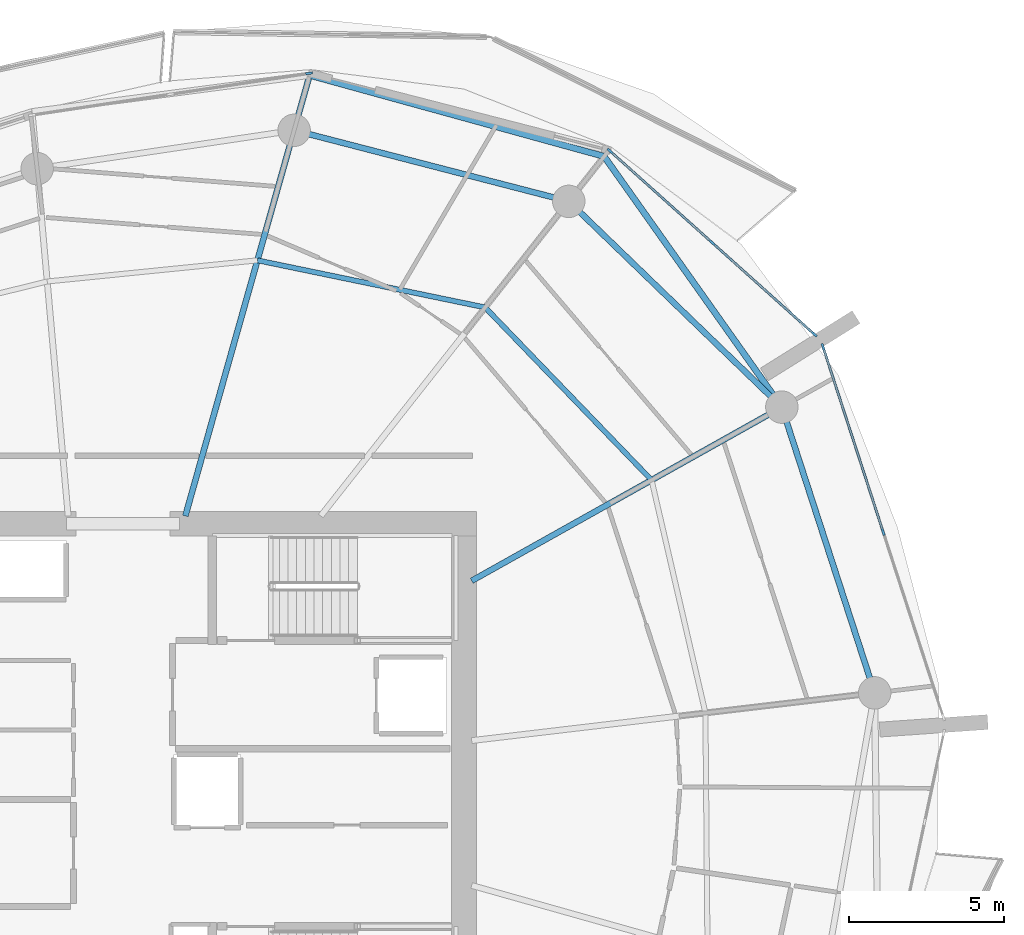
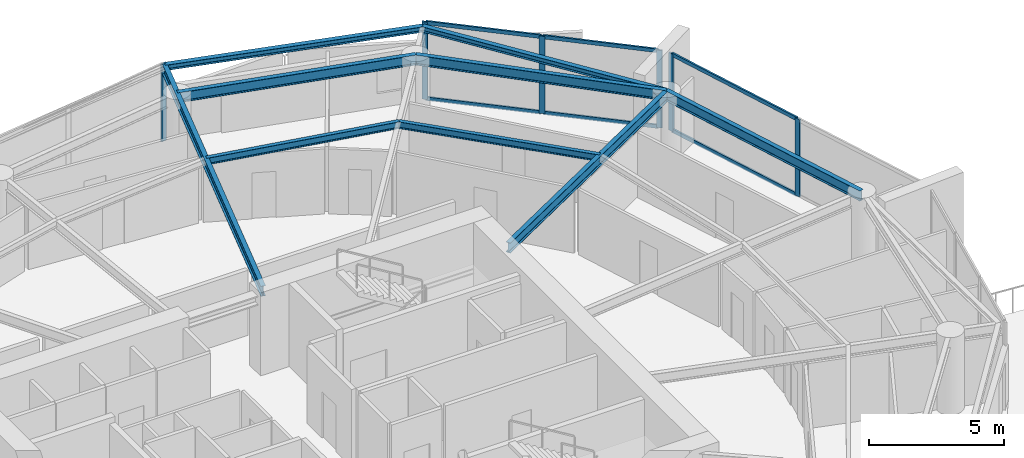
# One storey, part 9 of 20: 12 members, 9 beams, 3 elements without a shape of their own.
"""IFC4 building model written with IfcOpenShell, lengths in metres."""

from ifc_helpers import new_model, si_unit, direction, frame, origin, origin_2d, place, context, subcontext, project, spatial, rectangle, i_section, extrude, material, layer, layer_set, material_profile, profile_set, type_object, element, aggregate, save


model = new_model("IFC4")

# Units and contexts
model_context = context("Model", 3, precision=1e-05, world=origin(), true_north=direction((0.0, 1.0)))
body_context = subcontext(model_context, "Body", "Model", "MODEL_VIEW")
ifc_project = project(units=[si_unit("LENGTHUNIT", "METRE"), si_unit("AREAUNIT", "SQUARE_METRE"), si_unit("VOLUMEUNIT", "CUBIC_METRE"), si_unit("PLANEANGLEUNIT", "RADIAN"), si_unit("MASSUNIT", "GRAM", prefix="KILO")], contexts=[model_context])

# Site, building, storey
site_placement = place(None, origin())
site = spatial("IfcSite", under=ifc_project, at=site_placement, CompositionType="ELEMENT")
building_placement = place(site_placement, origin())
building = spatial("IfcBuilding", under=site, at=building_placement, Name="Kazma Halo Residences", CompositionType="ELEMENT")
storey_placement = place(building_placement, frame((0.0, 0.0, 142.800048828125)))
storey = spatial("IfcBuildingStorey", under=building, at=storey_placement, Name="L35", CompositionType="ELEMENT", Elevation=142.800048828125)

# Beams
ifc_material_1 = material(Name="Steel S355", Category="steel")
ifc_material_profile_1 = material_profile(ifc_material_1, i_section(OverallWidth=0.201904296875, OverallDepth=0.2470703125, WebThickness=0.00732421875, FlangeThickness=0.010986328125, FilletRadius=0.011962890625, at=origin_2d()), Name="W250x49.1")
ifc_profile_set_1 = profile_set([ifc_material_profile_1], Name="Steel S355")
beam_type_1 = type_object("IfcBeamType", Name="BM-BAL-CANT", PredefinedType="BEAM", material=ifc_profile_set_1)
beam_1_placement = place(storey_placement, frame((69.730224609375, 54.16943359375, 3.37646484375), z_axis=(-0.578203432081, 0.81589263456, 0.0), x_axis=(-0.81589263456, -0.578203432081, 0.0)))
element("IfcBeam", 1, at=beam_1_placement, inside=storey, type_object=beam_type_1, Name="L35 wave-balcony lead tie beam 01", PredefinedType="BEAM", context=body_context, shape_type="SweptSolid", body=[
    extrude(i_section(OverallWidth=0.201904296875, OverallDepth=0.2470703125, WebThickness=0.00732421875, FlangeThickness=0.010986328125, FilletRadius=0.011962890625, at=origin_2d()), origin(), (0.0, 0.0, 1.0), 9.9365234375),
])
beam_2_placement = place(storey_placement, frame((63.98486328125, 62.276611328125, 3.37646484375), z_axis=(-0.964045237638, 0.265738179019, 0.0), x_axis=(-0.265738179019, -0.964045237638, 0.0)))
element("IfcBeam", 2, at=beam_2_placement, inside=storey, type_object=beam_type_1, Name="L35 wave-balcony tie beam 02", PredefinedType="BEAM", context=body_context, shape_type="SweptSolid", body=[
    extrude(i_section(OverallWidth=0.201904296875, OverallDepth=0.2470703125, WebThickness=0.00732421875, FlangeThickness=0.010986328125, FilletRadius=0.011962890625, at=origin_2d()), origin(), (0.0, 0.0, 1.0), 9.880859375),
])
ifc_material_profile_2 = material_profile(ifc_material_1, i_section(OverallWidth=0.18994140625, OverallDepth=0.45703125, WebThickness=0.009033203125, FlangeThickness=0.014404296875, FilletRadius=0.01611328125, at=origin_2d()), Name="W460x74")
ifc_profile_set_2 = profile_set([ifc_material_profile_2], Name="Steel S355")
beam_type_2 = type_object("IfcBeamType", Name="BM-RAD-W460", PredefinedType="BEAM", material=ifc_profile_set_2)
beam_3_placement = place(storey_placement, frame((59.699951171875, 48.55224609375, 3.271484375), z_axis=(0.872497324456, 0.488618889132, 0.0), x_axis=(-0.488618889132, 0.872497324456, 0.0)))
element("IfcBeam", 3, at=beam_3_placement, inside=storey, type_object=beam_type_2, Name="L35 radial floor beam 01", PredefinedType="BEAM", context=body_context, shape_type="SweptSolid", body=[
    extrude(i_section(OverallWidth=0.18994140625, OverallDepth=0.45703125, WebThickness=0.009033203125, FlangeThickness=0.014404296875, FilletRadius=0.01611328125, at=origin_2d()), origin(), (0.0, 0.0, 1.0), 11.49609375),
])
beam_4_placement = place(storey_placement, frame((50.439697265625, 50.64990234375, 3.271484375), z_axis=(0.271435886816, 0.962456523355, 0.0), x_axis=(-0.962456523355, 0.271435886816, 0.0)))
element("IfcBeam", 4, at=beam_4_placement, inside=storey, type_object=beam_type_2, Name="L35 radial floor beam 03", PredefinedType="BEAM", context=body_context, shape_type="SweptSolid", body=[
    extrude(i_section(OverallWidth=0.18994140625, OverallDepth=0.45703125, WebThickness=0.009033203125, FlangeThickness=0.014404296875, FilletRadius=0.01611328125, at=origin_2d()), origin(), (0.0, 0.0, 1.0), 14.808349609375),
])
ifc_material_profile_3 = material_profile(ifc_material_1, i_section(OverallWidth=0.1650390625, OverallDepth=0.31005859375, WebThickness=0.005859375, FlangeThickness=0.009765625, FilletRadius=0.011962890625, at=origin_2d()), Name="W310x38.7")
ifc_profile_set_3 = profile_set([ifc_material_profile_3], Name="Steel S355")
beam_type_3 = type_object("IfcBeamType", Name="BM-SEC-W310B", PredefinedType="JOIST", material=ifc_profile_set_3)
beam_5_placement = place(storey_placement, frame((65.517578125, 51.810302734375, 3.344970703125), z_axis=(-0.694049338985, 0.719927437354, 0.0), x_axis=(-0.719927437354, -0.694049338985, 0.0)))
element("IfcBeam", 5, at=beam_5_placement, inside=storey, type_object=beam_type_3, Name="L35 circumferential floor joist 01", PredefinedType="JOIST", context=body_context, shape_type="SweptSolid", body=[
    extrude(i_section(OverallWidth=0.1650390625, OverallDepth=0.31005859375, WebThickness=0.005859375, FlangeThickness=0.009765625, FilletRadius=0.011962890625, at=origin_2d()), origin(), (0.0, 0.0, 1.0), 7.7548828125),
])
beam_6_placement = place(storey_placement, frame((60.13525390625, 57.393310546875, 3.344970703125), z_axis=(-0.979272189631, 0.202548706773, 0.0), x_axis=(-0.202548706773, -0.979272189631, 0.0)))
element("IfcBeam", 6, at=beam_6_placement, inside=storey, type_object=beam_type_3, Name="L35 circumferential floor joist 02", PredefinedType="JOIST", context=body_context, shape_type="SweptSolid", body=[
    extrude(i_section(OverallWidth=0.1650390625, OverallDepth=0.31005859375, WebThickness=0.005859375, FlangeThickness=0.009765625, FilletRadius=0.011962890625, at=origin_2d()), origin(), (0.0, 0.0, 1.0), 7.52001953125),
])
ifc_material_profile_4 = material_profile(ifc_material_1, i_section(OverallWidth=0.18994140625, OverallDepth=0.45703125, WebThickness=0.009033203125, FlangeThickness=0.014404296875, FilletRadius=0.01611328125, at=origin_2d()), Name="W460x74")
ifc_profile_set_4 = profile_set([ifc_material_profile_4], Name="Steel S355")
beam_type_4 = type_object("IfcBeamType", Name="BM-SPN-W460", PredefinedType="BEAM", material=ifc_profile_set_4)
beam_7_placement = place(storey_placement, frame((69.730224609375, 54.16943359375, 3.271484375), z_axis=(-0.719334705845, 0.694663645923, 0.0), x_axis=(-0.694663645923, -0.719334705845, 0.0)))
element("IfcBeam", 7, at=beam_7_placement, inside=storey, type_object=beam_type_4, Name="L35 perimeter ring beam 01", PredefinedType="BEAM", context=body_context, shape_type="SweptSolid", body=[
    extrude(i_section(OverallWidth=0.18994140625, OverallDepth=0.45703125, WebThickness=0.009033203125, FlangeThickness=0.014404296875, FilletRadius=0.01611328125, at=origin_2d()), origin(), (0.0, 0.0, 1.0), 9.5791015625),
])
beam_8_placement = place(storey_placement, frame((62.839599609375, 60.82373046875, 3.271484375), z_axis=(-0.968123664213, 0.250472694699, 0.0), x_axis=(-0.250472694699, -0.968123664213, 0.0)))
element("IfcBeam", 8, at=beam_8_placement, inside=storey, type_object=beam_type_4, Name="L35 perimeter ring beam 02", PredefinedType="BEAM", context=body_context, shape_type="SweptSolid", body=[
    extrude(i_section(OverallWidth=0.18994140625, OverallDepth=0.45703125, WebThickness=0.009033203125, FlangeThickness=0.014404296875, FilletRadius=0.01611328125, at=origin_2d()), origin(), (0.0, 0.0, 1.0), 9.175048828125),
])
beam_9_placement = place(storey_placement, frame((72.733154296875, 44.927490234375, 3.271484375), z_axis=(-0.309020741629, 0.95105529873, 0.0), x_axis=(-0.95105529873, -0.309020741629, 0.0)))
element("IfcBeam", 9, at=beam_9_placement, inside=storey, type_object=beam_type_4, Name="L35 perimeter ring beam 16", PredefinedType="BEAM", context=body_context, shape_type="SweptSolid", body=[
    extrude(i_section(OverallWidth=0.18994140625, OverallDepth=0.45703125, WebThickness=0.009033203125, FlangeThickness=0.014404296875, FilletRadius=0.01611328125, at=origin_2d()), origin(), (0.0, 0.0, 1.0), 9.717529296875),
])

# Curtain wall, members
ifc_material_2 = material(Name="Aluminium AW-6063 T6 and Triple-Silver Low-E Glass", Category="aluminium")
ifc_layer = layer(ifc_material_2, 0.219970703125)
ifc_layer_set = layer_set([ifc_layer], Name="Aluminium AW-6063 T6 and Triple-Silver Low-E Glass")
curtain_wall_type = type_object("IfcCurtainWallType", Name="CW-SYS-4", PredefinedType="NOTDEFINED", material=ifc_layer_set)
curtain_wall_1_placement = place(storey_placement, origin())
curtain_wall_1 = element("IfcCurtainWall", 10, at=curtain_wall_1_placement, inside=storey, type_object=curtain_wall_type, Name="L35 unitised curtain wall B01", PredefinedType="NOTDEFINED")
ifc_material_3 = material(Name="Aluminium AW-6063 T6", Category="aluminium")
ifc_material_profile_5 = material_profile(ifc_material_3, rectangle(XDim=0.074951171875, YDim=0.219970703125, at=origin_2d()), Name="CWM-75x220")
ifc_profile_set_5 = profile_set([ifc_material_profile_5], Name="Aluminium AW-6063 T6")
member_type_1 = type_object("IfcMemberType", Name="CW-SYS-4-MUL", PredefinedType="MULLION", material=ifc_profile_set_5)
member_1_placement = place(storey_placement, frame((70.778564453125, 56.5263671875, 0.0), z_axis=(0.0, 0.0, 1.0), x_axis=(-0.667770096247, -0.744367582957, 0.0)))
member_1 = element("IfcMember", 11, at=member_1_placement, type_object=member_type_1, Name="CWS-4 mullion 1", PredefinedType="MULLION", context=body_context, shape_type="SweptSolid", body=[
    extrude(rectangle(XDim=0.074951171875, YDim=0.219970703125, at=origin_2d()), origin(), (0.0, 0.0, 1.0), 3.5),
])
member_2_placement = place(storey_placement, frame((67.47509765625, 59.48974609375, 0.0), z_axis=(0.0, 0.0, 1.0), x_axis=(-0.667770096247, -0.744367582957, 0.0)))
member_2 = element("IfcMember", 12, at=member_2_placement, type_object=member_type_1, Name="CWS-4 mullion 2", PredefinedType="MULLION", context=body_context, shape_type="SweptSolid", body=[
    extrude(rectangle(XDim=0.074951171875, YDim=0.219970703125, at=origin_2d()), origin(), (0.0, 0.0, 1.0), 3.5),
])
member_3_placement = place(storey_placement, frame((64.171630859375, 62.453369140625, 0.0), z_axis=(0.0, 0.0, 1.0), x_axis=(-0.667770096247, -0.744367582957, 0.0)))
member_3 = element("IfcMember", 13, at=member_3_placement, type_object=member_type_1, Name="CWS-4 mullion 3", PredefinedType="MULLION", context=body_context, shape_type="SweptSolid", body=[
    extrude(rectangle(XDim=0.074951171875, YDim=0.219970703125, at=origin_2d()), origin(), (0.0, 0.0, 1.0), 3.5),
])

# Curtain wall, member
curtain_wall_2_placement = place(storey_placement, origin())
curtain_wall_2 = element("IfcCurtainWall", 14, at=curtain_wall_2_placement, inside=storey, type_object=curtain_wall_type, Name="L35 unitised curtain wall B03", PredefinedType="NOTDEFINED")
member_4_placement = place(storey_placement, frame((54.440673828125, 64.962890625, 0.0), z_axis=(0.0, 0.0, 1.0), x_axis=(0.148821022686, -0.988864148004, 0.0)))
member_4 = element("IfcMember", 15, at=member_4_placement, type_object=member_type_1, Name="CWS-4 mullion 1", PredefinedType="MULLION", context=body_context, shape_type="SweptSolid", body=[
    extrude(rectangle(XDim=0.074951171875, YDim=0.219970703125, at=origin_2d()), origin(), (0.0, 0.0, 1.0), 3.5),
])
aggregate(curtain_wall_2, [member_4])

# Curtain wall, members
curtain_wall_3_placement = place(storey_placement, origin())
curtain_wall_3 = element("IfcCurtainWall", 16, at=curtain_wall_3_placement, inside=storey, type_object=curtain_wall_type, Name="L35 unitised curtain wall B16", PredefinedType="NOTDEFINED")
member_5_placement = place(storey_placement, frame((73.009033203125, 50.1259765625, 0.0), z_axis=(0.0, 0.0, 1.0), x_axis=(-0.951057547609, -0.3090138203, 0.0)))
member_5 = element("IfcMember", 17, at=member_5_placement, type_object=member_type_1, Name="CWS-4 mullion 2", PredefinedType="MULLION", context=body_context, shape_type="SweptSolid", body=[
    extrude(rectangle(XDim=0.074951171875, YDim=0.219970703125, at=origin_2d()), origin(), (0.0, 0.0, 1.0), 3.5),
])
member_6_placement = place(storey_placement, frame((71.062255859375, 56.117431640625, 0.0), z_axis=(0.0, 0.0, 1.0), x_axis=(-0.951057547609, -0.3090138203, 0.0)))
member_6 = element("IfcMember", 18, at=member_6_placement, type_object=member_type_1, Name="CWS-4 mullion 3", PredefinedType="MULLION", context=body_context, shape_type="SweptSolid", body=[
    extrude(rectangle(XDim=0.074951171875, YDim=0.219970703125, at=origin_2d()), origin(), (0.0, 0.0, 1.0), 3.5),
])

# Member
ifc_material_profile_6 = material_profile(ifc_material_3, rectangle(XDim=0.074951171875, YDim=0.1650390625, at=origin_2d()), Name="CWT-75x165")
ifc_profile_set_6 = profile_set([ifc_material_profile_6], Name="Aluminium AW-6063 T6")
member_type_2 = type_object("IfcMemberType", Name="CW-SYS-4-TRN", PredefinedType="USERDEFINED", material=ifc_profile_set_6)
member_7_placement = place(storey_placement, frame((70.75048828125, 56.55126953125, 0.037353515625), z_axis=(-0.744344978888, 0.66779529229, 0.0), x_axis=(-0.66779529229, -0.744344978888, 0.0)))
member_7 = element("IfcMember", 19, at=member_7_placement, type_object=member_type_2, Name="CWS-4 transom 1.1", ObjectType="TRANSOM", PredefinedType="USERDEFINED", context=body_context, shape_type="SweptSolid", body=[
    extrude(rectangle(XDim=0.074951171875, YDim=0.1650390625, at=origin_2d()), origin(), (0.0, 0.0, 1.0), 4.363037109375),
])

member_8_placement = place(storey_placement, frame((70.75048828125, 56.55126953125, 3.46240234375), z_axis=(-0.744344978888, 0.66779529229, 0.0), x_axis=(-0.66779529229, -0.744344978888, 0.0)))
member_8 = element("IfcMember", 20, at=member_8_placement, type_object=member_type_2, Name="CWS-4 transom 1.2", ObjectType="TRANSOM", PredefinedType="USERDEFINED", context=body_context, shape_type="SweptSolid", body=[
    extrude(rectangle(XDim=0.074951171875, YDim=0.1650390625, at=origin_2d()), origin(), (0.0, 0.0, 1.0), 4.363037109375),
])

member_9_placement = place(storey_placement, frame((67.447265625, 59.514892578125, 0.037353515625), z_axis=(-0.744372794017, 0.667764287401, 0.0), x_axis=(-0.667764287401, -0.744372794017, 0.0)))
member_9 = element("IfcMember", 21, at=member_9_placement, type_object=member_type_2, Name="CWS-4 transom 2.1", ObjectType="TRANSOM", PredefinedType="USERDEFINED", context=body_context, shape_type="SweptSolid", body=[
    extrude(rectangle(XDim=0.074951171875, YDim=0.1650390625, at=origin_2d()), origin(), (0.0, 0.0, 1.0), 4.36279296875),
])

member_10_placement = place(storey_placement, frame((67.447265625, 59.514892578125, 3.46240234375), z_axis=(-0.744372794017, 0.667764287401, 0.0), x_axis=(-0.667764287401, -0.744372794017, 0.0)))
member_10 = element("IfcMember", 22, at=member_10_placement, type_object=member_type_2, Name="CWS-4 transom 2.2", ObjectType="TRANSOM", PredefinedType="USERDEFINED", context=body_context, shape_type="SweptSolid", body=[
    extrude(rectangle(XDim=0.074951171875, YDim=0.1650390625, at=origin_2d()), origin(), (0.0, 0.0, 1.0), 4.36279296875),
])

aggregate(curtain_wall_1, [member_1, member_2, member_3, member_7, member_8, member_9, member_10])

member_11_placement = place(storey_placement, frame((72.99755859375, 50.16162109375, 0.037353515625), z_axis=(-0.309017784977, 0.951056259413, 0.0), x_axis=(-0.951056259413, -0.309017784977, 0.0)))
member_11 = element("IfcMember", 23, at=member_11_placement, type_object=member_type_2, Name="CWS-4 transom 2.1", ObjectType="TRANSOM", PredefinedType="USERDEFINED", context=body_context, shape_type="SweptSolid", body=[
    extrude(rectangle(XDim=0.074951171875, YDim=0.1650390625, at=origin_2d()), origin(), (0.0, 0.0, 1.0), 6.224853515625),
])

member_12_placement = place(storey_placement, frame((72.99755859375, 50.16162109375, 3.46240234375), z_axis=(-0.309017784977, 0.951056259413, 0.0), x_axis=(-0.951056259413, -0.309017784977, 0.0)))
member_12 = element("IfcMember", 24, at=member_12_placement, type_object=member_type_2, Name="CWS-4 transom 2.2", ObjectType="TRANSOM", PredefinedType="USERDEFINED", context=body_context, shape_type="SweptSolid", body=[
    extrude(rectangle(XDim=0.074951171875, YDim=0.1650390625, at=origin_2d()), origin(), (0.0, 0.0, 1.0), 6.224853515625),
])

aggregate(curtain_wall_3, [member_5, member_6, member_11, member_12])

save(model, "model.ifc")
